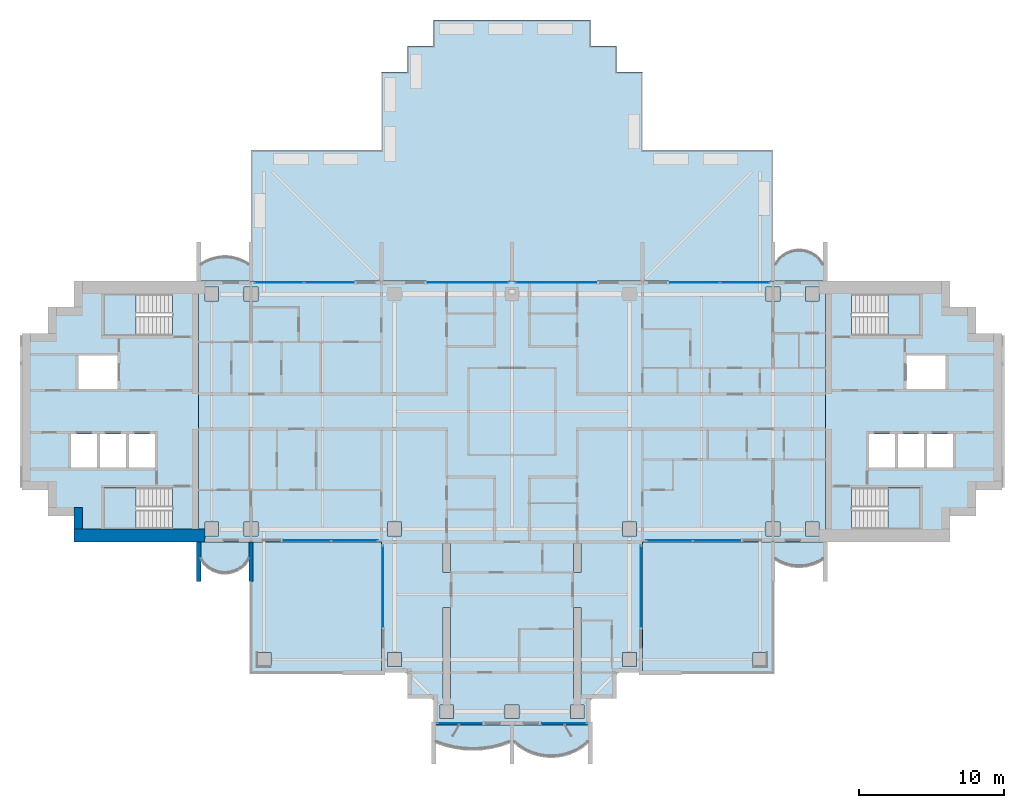
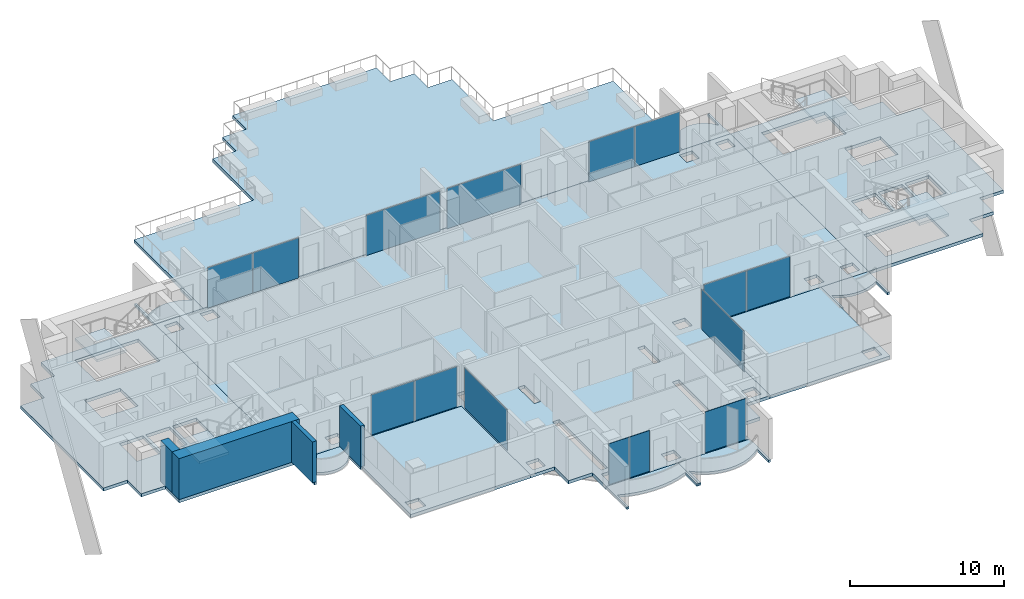
# One storey, part 7 of 18: 16 slabs, 14 plates, 4 walls, 14 elements without a shape of their own.
"""IFC4 building model written with IfcOpenShell, lengths in metres."""

import ifcopenshell
import ifcopenshell.guid

model = None  # the IFC model being written
_history = None  # IfcOwnerHistory: only IFC2X3 demands one
_inside = {}  # id of a spatial element -> (the spatial element, [elements in it])
_under = {}  # id of a project, library or spatial element -> (it, [spatial elements below it])
_declared = {}  # id of a project -> (the project, [libraries it declares])
_typed = {}  # id of a type object -> (the type object, [elements of that type])
_made_of = {}  # id of a material, layer set ... -> (it, [elements and type objects made of it])


def new_model(schema):
    """Start an empty IFC model of exactly this schema.

    Asked for "IFC4X3", IfcOpenShell would pick the latest addendum, in which some entities
    have other attributes; the version numbers below select the first issue.
    IFC2X3 requires an IfcOwnerHistory on every rooted entity: one is made here for all.
    """
    global model, _history
    if schema == "IFC4X3":
        model = ifcopenshell.file(schema_version=(4, 3, 0, 0))
    else:
        model = ifcopenshell.file(schema=schema)
    _inside.clear()
    _under.clear()
    _declared.clear()
    _typed.clear()
    _made_of.clear()
    _history = None
    if model.schema == "IFC2X3":
        org = make("IfcOrganization", Name="unknown")
        user = make(
            "IfcPersonAndOrganization",
            ThePerson=make("IfcPerson", FamilyName="unknown"),
            TheOrganization=org,
        )
        app = make(
            "IfcApplication",
            ApplicationDeveloper=org,
            Version="unknown",
            ApplicationFullName="unknown",
            ApplicationIdentifier="unknown",
        )
        _history = make(
            "IfcOwnerHistory",
            OwningUser=user,
            OwningApplication=app,
            ChangeAction="ADDED",
            CreationDate=0,
        )
    return model


def make(cls, **values):
    """One entity of the class cls with the attributes given. An attribute that is None is left unset."""
    return model.create_entity(
        cls, **{name: value for name, value in values.items() if value is not None}
    )


def rooted(cls, **values):
    """An entity with a GlobalId (a new one), such as an element, a storey or a relation."""
    return make(cls, GlobalId=ifcopenshell.guid.new(), OwnerHistory=_history, **values)


def si_unit(unit_type, name, prefix=None):
    """IfcSIUnit, for example si_unit("LENGTHUNIT", "METRE", prefix="MILLI")."""
    return make("IfcSIUnit", UnitType=unit_type, Prefix=prefix, Name=name)


def assignment(units):
    """IfcUnitAssignment: the units of a project."""
    return None if units is None else make("IfcUnitAssignment", Units=units)


def point(xyz):
    """IfcCartesianPoint."""
    return None if xyz is None else make("IfcCartesianPoint", Coordinates=xyz)


def direction(xyz):
    """IfcDirection."""
    return None if xyz is None else make("IfcDirection", DirectionRatios=xyz)


def frame(location, z_axis=None, x_axis=None):
    """IfcAxis2Placement3D, a coordinate frame: its origin and axes. An axis left out is left unset."""
    return make(
        "IfcAxis2Placement3D",
        Location=point(location),
        Axis=direction(z_axis),
        RefDirection=direction(x_axis),
    )


def frame_2d(location, x_axis=None):
    """IfcAxis2Placement2D, a coordinate frame in the plane: its origin and x axis."""
    return make(
        "IfcAxis2Placement2D", Location=point(location), RefDirection=direction(x_axis)
    )


def origin():
    """The frame at (0, 0, 0) with its axes left unset."""
    return frame((0.0, 0.0, 0.0))


def origin_2d():
    """The frame at (0, 0) in the plane with its x axis left unset."""
    return frame_2d((0.0, 0.0))


def place(relative_to, where):
    """IfcLocalPlacement: puts the frame where relative to a parent placement (None: the world)."""
    return make(
        "IfcLocalPlacement", PlacementRelTo=relative_to, RelativePlacement=where
    )


def context(
    kind, dimensions, precision=None, world=None, true_north=None, identifier=None
):
    """IfcGeometricRepresentationContext, for example the 3D "Model" context."""
    return make(
        "IfcGeometricRepresentationContext",
        ContextIdentifier=identifier,
        ContextType=kind,
        CoordinateSpaceDimension=dimensions,
        Precision=precision,
        WorldCoordinateSystem=world,
        TrueNorth=true_north,
    )


def subcontext(parent, identifier, kind, view, scale=None):
    """IfcGeometricRepresentationSubContext, for example "Body" below "Model"."""
    return make(
        "IfcGeometricRepresentationSubContext",
        ContextIdentifier=identifier,
        ContextType=kind,
        ParentContext=parent,
        TargetScale=scale,
        TargetView=view,
    )


def project(units=None, contexts=None):
    """IfcProject with its units and contexts."""
    return rooted(
        "IfcProject",
        Name="project",
        RepresentationContexts=contexts,
        UnitsInContext=assignment(units),
    )


def spatial(cls, under=None, at=None, **own):
    """A site, building, storey or space (cls), placed at a placement, below another one or the project."""
    s = rooted(cls, ObjectPlacement=at, **own)
    if under is not None:
        _under.setdefault(under.id(), (under, []))[1].append(s)
    return s


def polyline(points):
    """IfcPolyline through the points."""
    return make("IfcPolyline", Points=[point(p) for p in points])


def profile(cls, at=None, kind="AREA", **sizes):
    """A parametric profile (cls). Its sizes go by their IFC names, for example OverallWidth=200.0."""
    return make(cls, ProfileType=kind, Position=at, **sizes)


def rectangle(**sizes):
    """IfcRectangleProfileDef."""
    return profile("IfcRectangleProfileDef", **sizes)


def outline(outer, holes=None, kind="AREA"):
    """IfcArbitraryClosedProfileDef: a profile drawn as a closed curve; with holes, ...WithVoids."""
    if holes is None:
        return make("IfcArbitraryClosedProfileDef", ProfileType=kind, OuterCurve=outer)
    return make(
        "IfcArbitraryProfileDefWithVoids",
        ProfileType=kind,
        OuterCurve=outer,
        InnerCurves=holes,
    )


def extrude(swept, where, along, depth):
    """IfcExtrudedAreaSolid: the profile swept, set in the frame where, extruded along a direction by depth."""
    return make(
        "IfcExtrudedAreaSolid",
        SweptArea=swept,
        Position=where,
        ExtrudedDirection=direction(along),
        Depth=depth,
    )


def shape(context_of_items, identifier, shape_type, items):
    """IfcShapeRepresentation: the items that make up one representation, for example the "Body"."""
    return make(
        "IfcShapeRepresentation",
        ContextOfItems=context_of_items,
        RepresentationIdentifier=identifier,
        RepresentationType=shape_type,
        Items=items,
    )


def material(Name=None, Category=None):
    """IfcMaterial."""
    return make("IfcMaterial", Name=Name, Category=Category)


def layer(
    of_material, thickness, ventilated=None, Name=None, Category=None, Priority=None
):
    """IfcMaterialLayer: one layer of a wall or slab, of a material (None: an air gap)."""
    return make(
        "IfcMaterialLayer",
        Material=of_material,
        LayerThickness=thickness,
        IsVentilated=ventilated,
        Name=Name,
        Category=Category,
        Priority=Priority,
    )


def layer_set(layers, Name=None):
    """IfcMaterialLayerSet."""
    return make("IfcMaterialLayerSet", MaterialLayers=layers, LayerSetName=Name)


def made_of(thing, what):
    """Note that an element or type object is made of a material, layer set ...; save() writes the relation."""
    if what is not None:
        _made_of.setdefault(what.id(), (what, []))[1].append(thing)
    return thing


def type_object(cls, material=None, **own):
    """A type object (cls), such as IfcWallType, which elements share."""
    return made_of(rooted(cls, **own), material)


def element(
    cls,
    number,
    at=None,
    inside=None,
    cuts=None,
    type_object=None,
    material=None,
    context=None,
    identifier="Body",
    shape_type=None,
    held_by="IfcProductDefinitionShape",
    body=None,
    shapes=None,
    **own,
):
    """One element of the class cls, such as IfcWall. Its Tag is "e" and its number.

    at: its placement. inside: the storey or other place that contains it. cuts: it is an
    opening in that element (IfcRelVoidsElement). A single representation is given by context,
    identifier, shape_type and body (its items); several are given by shapes. held_by: the class
    of the entity that holds the representations. save() writes the other relations.
    """
    e = rooted(cls, Tag="e%d" % number, ObjectPlacement=at, **own)
    if body is not None:
        shapes = [shape(context, identifier, shape_type, body)]
    if shapes is not None:
        e.Representation = make(held_by, Representations=shapes)
    if inside is not None:
        _inside.setdefault(inside.id(), (inside, []))[1].append(e)
    if cuts is not None:
        rooted(
            "IfcRelVoidsElement", RelatingBuildingElement=cuts, RelatedOpeningElement=e
        )
    if type_object is not None:
        _typed.setdefault(type_object.id(), (type_object, []))[1].append(e)
    return made_of(e, material)


def aggregate(whole, parts):
    """IfcRelAggregates: a whole, such as a stair, and the parts it consists of."""
    return rooted("IfcRelAggregates", RelatingObject=whole, RelatedObjects=parts)


def save(model, path):
    """Write the relations noted so far, then the file.

    IfcRelAggregates (storeys below a building ...), IfcRelContainedInSpatialStructure (elements
    in a storey), IfcRelDefinesByType, IfcRelAssociatesMaterial and IfcRelDeclares: one each for
    every whole, place, type object, material and project.
    """
    for whole, parts in _under.values():
        aggregate(whole, parts)
    for where, things in _inside.values():
        rooted(
            "IfcRelContainedInSpatialStructure",
            RelatedElements=things,
            RelatingStructure=where,
        )
    for kind, things in _typed.values():
        rooted("IfcRelDefinesByType", RelatedObjects=things, RelatingType=kind)
    for what, things in _made_of.values():
        rooted("IfcRelAssociatesMaterial", RelatedObjects=things, RelatingMaterial=what)
    for by, libraries in _declared.values():
        rooted("IfcRelDeclares", RelatingContext=by, RelatedDefinitions=libraries)
    model.write(path)


model = new_model("IFC4")

# Units and contexts
model_context = context("Model", 3, precision=1e-05, world=origin(), true_north=direction((0.0, 1.0)))
body_context = subcontext(model_context, "Body", "Model", "MODEL_VIEW")
ifc_project = project(units=[si_unit("LENGTHUNIT", "METRE"), si_unit("AREAUNIT", "SQUARE_METRE"), si_unit("VOLUMEUNIT", "CUBIC_METRE"), si_unit("PLANEANGLEUNIT", "RADIAN"), si_unit("MASSUNIT", "GRAM", prefix="KILO")], contexts=[model_context])

# Site, building, storey
site_placement = place(None, origin())
site = spatial("IfcSite", under=ifc_project, at=site_placement, CompositionType="ELEMENT")
building_placement = place(site_placement, origin())
building = spatial("IfcBuilding", under=site, at=building_placement, Name="Perihelion Cross Residences", CompositionType="ELEMENT")
storey_placement = place(building_placement, frame((0.0, 0.0, 166.60009765625)))
storey = spatial("IfcBuildingStorey", under=building, at=storey_placement, Name="L40", CompositionType="ELEMENT", Elevation=166.60009765625)

# Slabs
ifc_material_1 = material(Name="Concrete C40/50", Category="concrete")
ifc_layer_1 = layer(ifc_material_1, 0.199951171875)
ifc_layer_set_1 = layer_set([ifc_layer_1], Name="Balcony slab 200")
slab_type_1 = type_object("IfcSlabType", Name="Balcony slab 200", PredefinedType="FLOOR", material=ifc_layer_set_1)
slab_1_placement = place(storey_placement, frame((0.0, 0.0, -0.2001953125)))
element("IfcSlab", 1, at=slab_1_placement, inside=storey, type_object=slab_type_1, Name="Slab BK1 L40 east side north bay 1 balcony", PredefinedType="FLOOR", context=body_context, shape_type="SweptSolid", body=[
    extrude(outline(polyline([(21.60009765625, 9.0), (18.0, 9.0), (18.0, 11.699951171875), (18.14990234375, 11.699951171875), (18.14990234375, 10.199951171875), (18.425048828125, 10.568603515625), (18.699951171875, 10.806396484375), (18.97509765625, 10.96875), (19.25, 11.07568359375), (19.52490234375, 11.136962890625), (19.800048828125, 11.156982421875), (20.074951171875, 11.136962890625), (20.35009765625, 11.07568359375), (20.625, 10.96875), (20.89990234375, 10.806396484375), (21.175048828125, 10.568603515625), (21.449951171875, 10.199951171875), (21.449951171875, 11.699951171875), (21.60009765625, 11.699951171875), (21.60009765625, 9.0)])), origin(), (0.0, 0.0, 1.0), 0.2001953125),
])
slab_2_placement = place(storey_placement, frame((0.0, 0.0, -0.2001953125)))
element("IfcSlab", 2, at=slab_2_placement, inside=storey, type_object=slab_type_1, Name="Slab BK1 L40 west side north bay 2 balcony", PredefinedType="FLOOR", context=body_context, shape_type="SweptSolid", body=[
    extrude(outline(polyline([(-18.0, 9.0), (-21.60009765625, 9.0), (-21.60009765625, 11.699951171875), (-21.449951171875, 11.699951171875), (-21.449951171875, 10.199951171875), (-21.083251953125, 10.40869140625), (-20.716552734375, 10.55517578125), (-20.35009765625, 10.648681640625), (-19.9833984375, 10.6943359375), (-19.61669921875, 10.6943359375), (-19.25, 10.648681640625), (-18.88330078125, 10.55517578125), (-18.5166015625, 10.40869140625), (-18.14990234375, 10.199951171875), (-18.14990234375, 11.699951171875), (-18.0, 11.699951171875), (-18.0, 9.0)])), origin(), (0.0, 0.0, 1.0), 0.2001953125),
])
slab_3_placement = place(storey_placement, frame((0.0, 0.0, -0.2001953125)))
element("IfcSlab", 3, at=slab_3_placement, inside=storey, type_object=slab_type_1, Name="Slab BK1 L40 west side south bay 1 balcony", PredefinedType="FLOOR", context=body_context, shape_type="SweptSolid", body=[
    extrude(outline(polyline([(-21.60009765625, -9.0), (-18.0, -9.0), (-18.0, -11.699951171875), (-18.14990234375, -11.699951171875), (-18.14990234375, -10.199951171875), (-18.425048828125, -10.568603515625), (-18.699951171875, -10.806396484375), (-18.97509765625, -10.96875), (-19.25, -11.07568359375), (-19.52490234375, -11.136962890625), (-19.800048828125, -11.156982421875), (-20.074951171875, -11.136962890625), (-20.35009765625, -11.07568359375), (-20.625, -10.96875), (-20.89990234375, -10.806396484375), (-21.175048828125, -10.568603515625), (-21.449951171875, -10.199951171875), (-21.449951171875, -11.699951171875), (-21.60009765625, -11.699951171875), (-21.60009765625, -9.0)])), origin(), (0.0, 0.0, 1.0), 0.2001953125),
])
slab_4_placement = place(storey_placement, frame((0.0, 0.0, -0.2001953125)))
element("IfcSlab", 4, at=slab_4_placement, inside=storey, type_object=slab_type_1, Name="Slab BK1 L40 south tip south bay 1 balcony", PredefinedType="FLOOR", context=body_context, shape_type="SweptSolid", body=[
    extrude(outline(polyline([(-5.39990234375, -21.60009765625), (0.0, -21.60009765625), (0.0, -24.300048828125), (-0.14990234375, -24.300048828125), (-0.14990234375, -22.800048828125), (-0.78759765625, -23.0234375), (-1.425048828125, -23.178466796875), (-2.0625, -23.269775390625), (-2.699951171875, -23.300048828125), (-3.33740234375, -23.269775390625), (-3.97509765625, -23.178466796875), (-4.612548828125, -23.0234375), (-5.25, -22.800048828125), (-5.25, -24.300048828125), (-5.39990234375, -24.300048828125), (-5.39990234375, -21.60009765625)])), origin(), (0.0, 0.0, 1.0), 0.2001953125),
])
slab_5_placement = place(storey_placement, frame((0.0, 0.0, -0.2001953125)))
element("IfcSlab", 5, at=slab_5_placement, inside=storey, type_object=slab_type_1, Name="Slab BK1 L40 south tip south bay 2 balcony", PredefinedType="FLOOR", context=body_context, shape_type="SweptSolid", body=[
    extrude(outline(polyline([(0.0, -21.60009765625), (5.39990234375, -21.60009765625), (5.39990234375, -24.300048828125), (5.25, -24.300048828125), (5.25, -22.800048828125), (4.824951171875, -23.14013671875), (4.39990234375, -23.392578125), (3.97509765625, -23.57666015625), (3.550048828125, -23.702392578125), (3.125, -23.77587890625), (2.699951171875, -23.800048828125), (2.27490234375, -23.77587890625), (1.85009765625, -23.702392578125), (1.425048828125, -23.57666015625), (1.0, -23.392578125), (0.574951171875, -23.14013671875), (0.14990234375, -22.800048828125), (0.14990234375, -24.300048828125), (0.0, -24.300048828125), (0.0, -21.60009765625)])), origin(), (0.0, 0.0, 1.0), 0.2001953125),
])
slab_6_placement = place(storey_placement, frame((0.0, 0.0, -0.2001953125)))
element("IfcSlab", 6, at=slab_6_placement, inside=storey, type_object=slab_type_1, Name="Slab BK1 L40 east side south bay 2 balcony", PredefinedType="FLOOR", context=body_context, shape_type="SweptSolid", body=[
    extrude(outline(polyline([(18.0, -9.0), (21.60009765625, -9.0), (21.60009765625, -11.699951171875), (21.449951171875, -11.699951171875), (21.449951171875, -10.199951171875), (21.083251953125, -10.40869140625), (20.716552734375, -10.55517578125), (20.35009765625, -10.648681640625), (19.9833984375, -10.6943359375), (19.61669921875, -10.6943359375), (19.25, -10.648681640625), (18.88330078125, -10.55517578125), (18.5166015625, -10.40869140625), (18.14990234375, -10.199951171875), (18.14990234375, -11.699951171875), (18.0, -11.699951171875), (18.0, -9.0)])), origin(), (0.0, 0.0, 1.0), 0.2001953125),
])

# Curtain wall, plates
ifc_material_2 = material(Name="Bronze anodised aluminium, tinted glazing", Category="aluminium")
curtain_wall_type = type_object("IfcCurtainWallType", Name="CW1", PredefinedType="NOTDEFINED", material=ifc_material_2)
curtain_wall_1_placement = place(storey_placement, origin())
curtain_wall_1 = element("IfcCurtainWall", 7, at=curtain_wall_1_placement, inside=storey, type_object=curtain_wall_type, Name="Curtain wall CW1 L40 east side north bay 2", PredefinedType="NOTDEFINED")
ifc_material_3 = material(Name="Tinted laminated glass", Category="glass")
ifc_layer_2 = layer(ifc_material_3, 0.028076171875)
ifc_layer_set_2 = layer_set([ifc_layer_2], Name="CW1 panel")
plate_type = type_object("IfcPlateType", Name="CW1 panel", PredefinedType="CURTAIN_PANEL", material=ifc_layer_set_2)
plate_1_placement = place(storey_placement, frame((16.06005859375, 8.89990234375, 0.0), z_axis=(0.0, 0.0, 1.0), x_axis=(-1.0, 0.0, 0.0)))
plate_1 = element("IfcPlate", 8, at=plate_1_placement, type_object=plate_type, Name="CW1 panel 1", PredefinedType="CURTAIN_PANEL", context=body_context, shape_type="SweptSolid", body=[
    extrude(rectangle(XDim=3.360107421875, YDim=0.028076171875, at=origin_2d()), origin(), (0.0, 0.0, 1.0), 3.18994140625),
])
plate_2_placement = place(storey_placement, frame((12.610107421875, 8.89990234375, 0.0), z_axis=(0.0, 0.0, 1.0), x_axis=(-1.0, 0.0, 0.0)))
plate_2 = element("IfcPlate", 9, at=plate_2_placement, type_object=plate_type, Name="CW1 panel 2", PredefinedType="CURTAIN_PANEL", context=body_context, shape_type="SweptSolid", body=[
    extrude(rectangle(XDim=3.419921875, YDim=0.028076171875, at=origin_2d()), origin(), (0.0, 0.0, 1.0), 3.18994140625),
])
aggregate(curtain_wall_1, [plate_1, plate_2])

# Curtain wall, plate
curtain_wall_2_placement = place(storey_placement, origin())
curtain_wall_2 = element("IfcCurtainWall", 10, at=curtain_wall_2_placement, inside=storey, type_object=curtain_wall_type, Name="Curtain wall CW1 L40 north side east bay 1", PredefinedType="NOTDEFINED")
plate_3_placement = place(storey_placement, frame((3.04248046875, 8.89990234375, 0.0), z_axis=(0.0, 0.0, 1.0), x_axis=(-1.0, 0.0, 0.0)))
plate_3 = element("IfcPlate", 11, at=plate_3_placement, type_object=plate_type, Name="CW1 panel 1", PredefinedType="CURTAIN_PANEL", context=body_context, shape_type="SweptSolid", body=[
    extrude(rectangle(XDim=5.56494140625, YDim=0.028076171875, at=origin_2d()), origin(), (0.0, 0.0, 1.0), 3.18994140625),
])
aggregate(curtain_wall_2, [plate_3])

curtain_wall_3_placement = place(storey_placement, origin())
curtain_wall_3 = element("IfcCurtainWall", 12, at=curtain_wall_3_placement, inside=storey, type_object=curtain_wall_type, Name="Curtain wall CW1 L40 north side east bay 2", PredefinedType="NOTDEFINED")
plate_4_placement = place(storey_placement, frame((-3.04248046875, 8.89990234375, 0.0), z_axis=(0.0, 0.0, 1.0), x_axis=(-1.0, 0.0, 0.0)))
plate_4 = element("IfcPlate", 13, at=plate_4_placement, type_object=plate_type, Name="CW1 panel 1", PredefinedType="CURTAIN_PANEL", context=body_context, shape_type="SweptSolid", body=[
    extrude(rectangle(XDim=5.56494140625, YDim=0.028076171875, at=origin_2d()), origin(), (0.0, 0.0, 1.0), 3.18994140625),
])
aggregate(curtain_wall_3, [plate_4])

# Curtain wall, plates
curtain_wall_4_placement = place(storey_placement, origin())
curtain_wall_4 = element("IfcCurtainWall", 14, at=curtain_wall_4_placement, inside=storey, type_object=curtain_wall_type, Name="Curtain wall CW1 L40 west side north bay 1", PredefinedType="NOTDEFINED")
plate_5_placement = place(storey_placement, frame((-12.610107421875, 8.89990234375, 0.0), z_axis=(0.0, 0.0, 1.0), x_axis=(-1.0, 0.0, 0.0)))
plate_5 = element("IfcPlate", 15, at=plate_5_placement, type_object=plate_type, Name="CW1 panel 1", PredefinedType="CURTAIN_PANEL", context=body_context, shape_type="SweptSolid", body=[
    extrude(rectangle(XDim=3.419921875, YDim=0.028076171875, at=origin_2d()), origin(), (0.0, 0.0, 1.0), 3.18994140625),
])
plate_6_placement = place(storey_placement, frame((-16.06005859375, 8.89990234375, 0.0), z_axis=(0.0, 0.0, 1.0), x_axis=(-1.0, 0.0, 0.0)))
plate_6 = element("IfcPlate", 16, at=plate_6_placement, type_object=plate_type, Name="CW1 panel 2", PredefinedType="CURTAIN_PANEL", context=body_context, shape_type="SweptSolid", body=[
    extrude(rectangle(XDim=3.360107421875, YDim=0.028076171875, at=origin_2d()), origin(), (0.0, 0.0, 1.0), 3.18994140625),
])
aggregate(curtain_wall_4, [plate_5, plate_6])

curtain_wall_5_placement = place(storey_placement, origin())
curtain_wall_5 = element("IfcCurtainWall", 17, at=curtain_wall_5_placement, inside=storey, type_object=curtain_wall_type, Name="Curtain wall CW1 L40 west side south bay 2", PredefinedType="NOTDEFINED")
plate_7_placement = place(storey_placement, frame((-14.108642578125, -8.89990234375, 0.0), z_axis=(0.0, 0.0, 1.0), x_axis=(1.0, 0.0, 0.0)))
plate_7 = element("IfcPlate", 18, at=plate_7_placement, type_object=plate_type, Name="CW1 panel 1", PredefinedType="CURTAIN_PANEL", context=body_context, shape_type="SweptSolid", body=[
    extrude(rectangle(XDim=3.232421875, YDim=0.028076171875, at=origin_2d()), origin(), (0.0, 0.0, 1.0), 3.18994140625),
])
plate_8_placement = place(storey_placement, frame((-10.84619140625, -8.89990234375, 0.0), z_axis=(0.0, 0.0, 1.0), x_axis=(1.0, 0.0, 0.0)))
plate_8 = element("IfcPlate", 19, at=plate_8_placement, type_object=plate_type, Name="CW1 panel 2", PredefinedType="CURTAIN_PANEL", context=body_context, shape_type="SweptSolid", body=[
    extrude(rectangle(XDim=3.172607421875, YDim=0.028076171875, at=origin_2d()), origin(), (0.0, 0.0, 1.0), 3.18994140625),
])
aggregate(curtain_wall_5, [plate_7, plate_8])

# Curtain wall, plate
curtain_wall_6_placement = place(storey_placement, origin())
curtain_wall_6 = element("IfcCurtainWall", 20, at=curtain_wall_6_placement, inside=storey, type_object=curtain_wall_type, Name="Curtain wall CW1 L40 south side west bay 1", PredefinedType="NOTDEFINED")
plate_9_placement = place(storey_placement, frame((-8.89990234375, -12.04248046875, 0.0), z_axis=(0.0, 0.0, 1.0), x_axis=(0.0, -1.0, 0.0)))
plate_9 = element("IfcPlate", 21, at=plate_9_placement, type_object=plate_type, Name="CW1 panel 1", PredefinedType="CURTAIN_PANEL", context=body_context, shape_type="SweptSolid", body=[
    extrude(rectangle(XDim=5.56494140625, YDim=0.028076171875, at=origin_2d()), origin(), (0.0, 0.0, 1.0), 3.18994140625),
])
aggregate(curtain_wall_6, [plate_9])

curtain_wall_7_placement = place(storey_placement, origin())
curtain_wall_7 = element("IfcCurtainWall", 22, at=curtain_wall_7_placement, inside=storey, type_object=curtain_wall_type, Name="Curtain wall CW1 L40 south tip south bay 1", PredefinedType="NOTDEFINED")
plate_10_placement = place(storey_placement, frame((-3.607421875, -21.5, 0.0), z_axis=(0.0, 0.0, 1.0), x_axis=(1.0, 0.0, 0.0)))
plate_10 = element("IfcPlate", 23, at=plate_10_placement, type_object=plate_type, Name="CW1 panel 1", PredefinedType="CURTAIN_PANEL", context=body_context, shape_type="SweptSolid", body=[
    extrude(rectangle(XDim=3.06494140625, YDim=0.028076171875, at=origin_2d()), origin(), (0.0, 0.0, 1.0), 3.25),
])
aggregate(curtain_wall_7, [plate_10])

curtain_wall_8_placement = place(storey_placement, origin())
curtain_wall_8 = element("IfcCurtainWall", 24, at=curtain_wall_8_placement, inside=storey, type_object=curtain_wall_type, Name="Curtain wall CW1 L40 south tip south bay 2", PredefinedType="NOTDEFINED")
plate_11_placement = place(storey_placement, frame((3.607421875, -21.5, 0.0), z_axis=(0.0, 0.0, 1.0), x_axis=(1.0, 0.0, 0.0)))
plate_11 = element("IfcPlate", 25, at=plate_11_placement, type_object=plate_type, Name="CW1 panel 1", PredefinedType="CURTAIN_PANEL", context=body_context, shape_type="SweptSolid", body=[
    extrude(rectangle(XDim=3.06494140625, YDim=0.028076171875, at=origin_2d()), origin(), (0.0, 0.0, 1.0), 3.25),
])
aggregate(curtain_wall_8, [plate_11])

curtain_wall_9_placement = place(storey_placement, origin())
curtain_wall_9 = element("IfcCurtainWall", 26, at=curtain_wall_9_placement, inside=storey, type_object=curtain_wall_type, Name="Curtain wall CW1 L40 south side east bay 1", PredefinedType="NOTDEFINED")
plate_12_placement = place(storey_placement, frame((8.89990234375, -12.04248046875, 0.0), z_axis=(0.0, 0.0, 1.0), x_axis=(0.0, 1.0, 0.0)))
plate_12 = element("IfcPlate", 27, at=plate_12_placement, type_object=plate_type, Name="CW1 panel 1", PredefinedType="CURTAIN_PANEL", context=body_context, shape_type="SweptSolid", body=[
    extrude(rectangle(XDim=5.56494140625, YDim=0.028076171875, at=origin_2d()), origin(), (0.0, 0.0, 1.0), 3.18994140625),
])
aggregate(curtain_wall_9, [plate_12])

# Curtain wall, plates
curtain_wall_10_placement = place(storey_placement, origin())
curtain_wall_10 = element("IfcCurtainWall", 28, at=curtain_wall_10_placement, inside=storey, type_object=curtain_wall_type, Name="Curtain wall CW1 L40 east side south bay 1", PredefinedType="NOTDEFINED")
plate_13_placement = place(storey_placement, frame((10.84619140625, -8.89990234375, 0.0), z_axis=(0.0, 0.0, 1.0), x_axis=(1.0, 0.0, 0.0)))
plate_13 = element("IfcPlate", 29, at=plate_13_placement, type_object=plate_type, Name="CW1 panel 1", PredefinedType="CURTAIN_PANEL", context=body_context, shape_type="SweptSolid", body=[
    extrude(rectangle(XDim=3.172607421875, YDim=0.028076171875, at=origin_2d()), origin(), (0.0, 0.0, 1.0), 3.18994140625),
])
plate_14_placement = place(storey_placement, frame((14.108642578125, -8.89990234375, 0.0), z_axis=(0.0, 0.0, 1.0), x_axis=(1.0, 0.0, 0.0)))
plate_14 = element("IfcPlate", 30, at=plate_14_placement, type_object=plate_type, Name="CW1 panel 2", PredefinedType="CURTAIN_PANEL", context=body_context, shape_type="SweptSolid", body=[
    extrude(rectangle(XDim=3.232421875, YDim=0.028076171875, at=origin_2d()), origin(), (0.0, 0.0, 1.0), 3.18994140625),
])
aggregate(curtain_wall_10, [plate_13, plate_14])

# Slabs
ifc_material_4 = material(Name="Concrete C40/50", Category="concrete")
ifc_layer_3 = layer(ifc_material_4, 0.25)
ifc_layer_set_3 = layer_set([ifc_layer_3], Name="Core floor slab 250")
slab_type_2 = type_object("IfcSlabType", Name="Core floor slab 250", PredefinedType="FLOOR", material=ifc_layer_set_3)
slab_7_placement = place(storey_placement, frame((0.0, 0.0, -0.25)))
element("IfcSlab", 31, at=slab_7_placement, inside=storey, type_object=slab_type_2, Name="East core floor slab", PredefinedType="FLOOR", context=body_context, shape_type="SweptSolid", body=[
    extrude(outline(polyline([(30.199951171875, 7.199951171875), (32.0, 7.199951171875), (32.0, 5.39990234375), (33.800048828125, 5.39990234375), (33.800048828125, -5.39990234375), (32.0, -5.39990234375), (32.0, -7.199951171875), (30.199951171875, -7.199951171875), (30.199951171875, -9.0), (21.60009765625, -9.0), (21.60009765625, 9.0), (30.199951171875, 9.0), (30.199951171875, 7.199951171875)]), holes=[polyline([(28.14990234375, -8.10009765625), (28.14990234375, -5.25), (23.405029296875, -5.25), (23.405029296875, -8.10009765625), (28.14990234375, -8.10009765625)]), polyline([(24.60009765625, -1.550048828125), (24.60009765625, -3.85009765625), (26.39990234375, -3.85009765625), (26.39990234375, -1.550048828125), (24.60009765625, -1.550048828125)]), polyline([(26.60009765625, -1.550048828125), (26.60009765625, -3.85009765625), (28.39990234375, -3.85009765625), (28.39990234375, -1.550048828125), (26.60009765625, -1.550048828125)]), polyline([(28.60009765625, -3.85009765625), (30.39990234375, -3.85009765625), (30.39990234375, -1.550048828125), (28.60009765625, -1.550048828125), (28.60009765625, -3.85009765625)]), polyline([(27.199951171875, 3.85009765625), (27.199951171875, 1.550048828125), (29.89990234375, 1.550048828125), (29.89990234375, 3.85009765625), (27.199951171875, 3.85009765625)]), polyline([(23.405029296875, 5.25), (28.14990234375, 5.25), (28.14990234375, 8.10009765625), (23.405029296875, 8.10009765625), (23.405029296875, 5.25)])]), origin(), (0.0, 0.0, 1.0), 0.25),
])
slab_8_placement = place(storey_placement, frame((0.0, 0.0, -0.25)))
element("IfcSlab", 32, at=slab_8_placement, inside=storey, type_object=slab_type_2, Name="West core floor slab", PredefinedType="FLOOR", context=body_context, shape_type="SweptSolid", body=[
    extrude(outline(polyline([(-30.199951171875, 7.199951171875), (-32.0, 7.199951171875), (-32.0, 5.39990234375), (-33.800048828125, 5.39990234375), (-33.800048828125, -5.39990234375), (-32.0, -5.39990234375), (-32.0, -7.199951171875), (-30.199951171875, -7.199951171875), (-30.199951171875, -9.0), (-21.60009765625, -9.0), (-21.60009765625, 9.0), (-30.199951171875, 9.0), (-30.199951171875, 7.199951171875)]), holes=[polyline([(-28.14990234375, -8.10009765625), (-28.14990234375, -5.25), (-23.405029296875, -5.25), (-23.405029296875, -8.10009765625), (-28.14990234375, -8.10009765625)]), polyline([(-24.60009765625, -1.550048828125), (-24.60009765625, -3.85009765625), (-26.39990234375, -3.85009765625), (-26.39990234375, -1.550048828125), (-24.60009765625, -1.550048828125)]), polyline([(-26.60009765625, -1.550048828125), (-26.60009765625, -3.85009765625), (-28.39990234375, -3.85009765625), (-28.39990234375, -1.550048828125), (-26.60009765625, -1.550048828125)]), polyline([(-28.60009765625, -3.85009765625), (-30.39990234375, -3.85009765625), (-30.39990234375, -1.550048828125), (-28.60009765625, -1.550048828125), (-28.60009765625, -3.85009765625)]), polyline([(-27.199951171875, 3.85009765625), (-27.199951171875, 1.550048828125), (-29.89990234375, 1.550048828125), (-29.89990234375, 3.85009765625), (-27.199951171875, 3.85009765625)]), polyline([(-23.405029296875, 5.25), (-28.14990234375, 5.25), (-28.14990234375, 8.10009765625), (-23.405029296875, 8.10009765625), (-23.405029296875, 5.25)])]), origin(), (0.0, 0.0, 1.0), 0.25),
])
ifc_material_5 = material(Name="Concrete C40/50", Category="concrete")
ifc_layer_4 = layer(ifc_material_5, 0.25)
ifc_layer_set_4 = layer_set([ifc_layer_4], Name="Corner terrace slab")
slab_type_3 = type_object("IfcSlabType", Name="Corner terrace slab", PredefinedType="FLOOR", material=ifc_layer_set_4)
slab_9_placement = place(storey_placement, frame((0.0, 0.0, -0.25)))
element("IfcSlab", 33, at=slab_9_placement, inside=storey, type_object=slab_type_3, Name="Slab BK2 L40 pocket south-west", PredefinedType="FLOOR", context=body_context, shape_type="SweptSolid", body=[
    extrude(outline(polyline([(-9.0, -18.0), (-9.0, -9.0), (-18.0, -9.0), (-18.0, -18.0), (-9.0, -18.0)]), holes=[polyline([(-16.625, -17.614990234375), (-17.614990234375, -17.614990234375), (-17.614990234375, -16.5849609375), (-17.574951171875, -16.5849609375), (-17.574951171875, -16.625), (-16.625, -16.625), (-16.625, -17.614990234375)])]), origin(), (0.0, 0.0, 1.0), 0.25),
])
slab_10_placement = place(storey_placement, frame((0.0, 0.0, -0.25)))
element("IfcSlab", 34, at=slab_10_placement, inside=storey, type_object=slab_type_3, Name="Slab BK2 L40 pocket south-east", PredefinedType="FLOOR", context=body_context, shape_type="SweptSolid", body=[
    extrude(outline(polyline([(18.0, -18.0), (18.0, -9.0), (9.0, -9.0), (9.0, -18.0), (18.0, -18.0)]), holes=[polyline([(16.625, -17.614990234375), (16.625, -16.625), (17.574951171875, -16.625), (17.574951171875, -16.5849609375), (17.614990234375, -16.5849609375), (17.614990234375, -17.614990234375), (16.625, -17.614990234375)])]), origin(), (0.0, 0.0, 1.0), 0.25),
])

# Stair, slab
ifc_material_6 = material(Name="Concrete C40/50", Category="concrete")
stair_type = type_object("IfcStairType", Name="Exit stair, half-turn", PredefinedType="HALF_TURN_STAIR", material=ifc_material_6)
stair_1_placement = place(storey_placement, origin())
stair_1 = element("IfcStair", 35, at=stair_1_placement, inside=storey, type_object=stair_type, Name="L40 East core exit stair 1", PredefinedType="HALF_TURN_STAIR")
ifc_material_7 = material(Name="Concrete C40/50", Category="concrete")
ifc_layer_5 = layer(ifc_material_7, 0.199951171875)
ifc_layer_set_5 = layer_set([ifc_layer_5], Name="Exit stair landing 200")
slab_type_4 = type_object("IfcSlabType", Name="Exit stair landing 200", PredefinedType="LANDING", material=ifc_layer_set_5)
slab_11_placement = place(storey_placement, frame((0.0, 0.0, 1.5498046875)))
slab_11 = element("IfcSlab", 36, at=slab_11_placement, type_object=slab_type_4, Name="ST-E1 landing 1", PredefinedType="LANDING", context=body_context, shape_type="SweptSolid", body=[
    extrude(outline(polyline([(25.919921875, 5.25), (28.14990234375, 5.25), (28.14990234375, 8.10009765625), (25.919921875, 8.10009765625), (25.919921875, 5.25)])), origin(), (0.0, 0.0, 1.0), 0.2001953125),
])
aggregate(stair_1, [slab_11])

stair_2_placement = place(storey_placement, origin())
stair_2 = element("IfcStair", 37, at=stair_2_placement, inside=storey, type_object=stair_type, Name="L40 East core exit stair 2", PredefinedType="HALF_TURN_STAIR")
slab_12_placement = place(storey_placement, frame((0.0, 0.0, 1.5498046875)))
slab_12 = element("IfcSlab", 38, at=slab_12_placement, type_object=slab_type_4, Name="ST-E2 landing 1", PredefinedType="LANDING", context=body_context, shape_type="SweptSolid", body=[
    extrude(outline(polyline([(25.919921875, -8.10009765625), (28.14990234375, -8.10009765625), (28.14990234375, -5.25), (25.919921875, -5.25), (25.919921875, -8.10009765625)])), origin(), (0.0, 0.0, 1.0), 0.2001953125),
])
aggregate(stair_2, [slab_12])

stair_3_placement = place(storey_placement, origin())
stair_3 = element("IfcStair", 39, at=stair_3_placement, inside=storey, type_object=stair_type, Name="L40 West core exit stair 1", PredefinedType="HALF_TURN_STAIR")
slab_13_placement = place(storey_placement, frame((0.0, 0.0, 1.5498046875)))
slab_13 = element("IfcSlab", 40, at=slab_13_placement, type_object=slab_type_4, Name="ST-W1 landing 1", PredefinedType="LANDING", context=body_context, shape_type="SweptSolid", body=[
    extrude(outline(polyline([(-25.919921875, 8.10009765625), (-28.14990234375, 8.10009765625), (-28.14990234375, 5.25), (-25.919921875, 5.25), (-25.919921875, 8.10009765625)])), origin(), (0.0, 0.0, 1.0), 0.2001953125),
])
aggregate(stair_3, [slab_13])

stair_4_placement = place(storey_placement, origin())
stair_4 = element("IfcStair", 41, at=stair_4_placement, inside=storey, type_object=stair_type, Name="L40 West core exit stair 2", PredefinedType="HALF_TURN_STAIR")
slab_14_placement = place(storey_placement, frame((0.0, 0.0, 1.5498046875)))
slab_14 = element("IfcSlab", 42, at=slab_14_placement, type_object=slab_type_4, Name="ST-W2 landing 1", PredefinedType="LANDING", context=body_context, shape_type="SweptSolid", body=[
    extrude(outline(polyline([(-25.919921875, -5.25), (-28.14990234375, -5.25), (-28.14990234375, -8.10009765625), (-25.919921875, -8.10009765625), (-25.919921875, -5.25)])), origin(), (0.0, 0.0, 1.0), 0.2001953125),
])
aggregate(stair_4, [slab_14])

# Slabs
ifc_material_8 = material(Name="Concrete C50/60", Category="concrete")
ifc_layer_6 = layer(ifc_material_8, 0.25)
ifc_layer_set_6 = layer_set([ifc_layer_6], Name="Residential floor post-tensioned slab concrete C50/60")
slab_type_5 = type_object("IfcSlabType", Name="Residential floor post-tensioned slab concrete C50/60", PredefinedType="FLOOR", material=ifc_layer_set_6)
slab_15_placement = place(storey_placement, frame((0.0, 0.0, -0.25)))
element("IfcSlab", 43, at=slab_15_placement, inside=storey, type_object=slab_type_5, Name="Slab SL8 L40 1 no. 1", PredefinedType="FLOOR", context=body_context, shape_type="SweptSolid", body=[
    extrude(outline(polyline([(21.60009765625, 9.0), (21.60009765625, -9.0), (9.0, -9.0), (9.0, -18.0), (7.199951171875, -18.0), (7.199951171875, -19.800048828125), (5.39990234375, -19.800048828125), (5.39990234375, -21.60009765625), (-5.39990234375, -21.60009765625), (-5.39990234375, -19.800048828125), (-7.199951171875, -19.800048828125), (-7.199951171875, -18.0), (-9.0, -18.0), (-9.0, -9.0), (-21.60009765625, -9.0), (-21.60009765625, 9.0), (-18.0, 9.0), (-9.0, 9.0), (9.0, 9.0), (18.0, 9.0), (21.60009765625, 9.0)]), holes=[polyline([(-4.02490234375, -20.22509765625), (-4.97509765625, -20.22509765625), (-4.97509765625, -21.175048828125), (-4.02490234375, -21.175048828125), (-4.02490234375, -20.22509765625)]), polyline([(-7.625, -16.625), (-8.574951171875, -16.625), (-8.574951171875, -17.574951171875), (-7.625, -17.574951171875), (-7.625, -16.625)]), polyline([(-4.25, -13.5), (-4.75, -13.5), (-4.75, -19.800048828125), (-4.25, -19.800048828125), (-4.25, -13.5)]), polyline([(-4.25, -11.10009765625), (-4.25, -9.0), (-4.75, -9.0), (-4.75, -11.10009765625), (-4.25, -11.10009765625)]), polyline([(-20.22509765625, -8.574951171875), (-20.22509765625, -7.625), (-21.175048828125, -7.625), (-21.175048828125, -8.574951171875), (-20.22509765625, -8.574951171875)]), polyline([(-17.52490234375, -7.625), (-18.47509765625, -7.625), (-18.47509765625, -8.574951171875), (-17.52490234375, -8.574951171875), (-17.52490234375, -7.625)]), polyline([(-7.625, -8.574951171875), (-7.625, -7.625), (-8.574951171875, -7.625), (-8.574951171875, -8.574951171875), (-7.625, -8.574951171875)]), polyline([(-20.22509765625, 8.574951171875), (-21.175048828125, 8.574951171875), (-21.175048828125, 7.625), (-20.22509765625, 7.625), (-20.22509765625, 8.574951171875)]), polyline([(-17.52490234375, 7.625), (-17.52490234375, 8.574951171875), (-18.47509765625, 8.574951171875), (-18.47509765625, 7.625), (-17.52490234375, 7.625)]), polyline([(0.47509765625, -20.22509765625), (-0.47509765625, -20.22509765625), (-0.47509765625, -21.175048828125), (0.47509765625, -21.175048828125), (0.47509765625, -20.22509765625)]), polyline([(4.97509765625, -20.22509765625), (4.02490234375, -20.22509765625), (4.02490234375, -21.175048828125), (4.97509765625, -21.175048828125), (4.97509765625, -20.22509765625)]), polyline([(8.574951171875, -16.625), (7.625, -16.625), (7.625, -17.574951171875), (8.574951171875, -17.574951171875), (8.574951171875, -16.625)]), polyline([(4.75, -19.800048828125), (4.75, -13.5), (4.25, -13.5), (4.25, -19.800048828125), (4.75, -19.800048828125)]), polyline([(4.75, -11.10009765625), (4.75, -9.0), (4.25, -9.0), (4.25, -11.10009765625), (4.75, -11.10009765625)]), polyline([(8.574951171875, -7.625), (7.625, -7.625), (7.625, -8.574951171875), (8.574951171875, -8.574951171875), (8.574951171875, -7.625)]), polyline([(18.47509765625, -8.574951171875), (18.47509765625, -7.625), (17.52490234375, -7.625), (17.52490234375, -8.574951171875), (18.47509765625, -8.574951171875)]), polyline([(21.175048828125, -8.574951171875), (21.175048828125, -7.625), (20.22509765625, -7.625), (20.22509765625, -8.574951171875), (21.175048828125, -8.574951171875)]), polyline([(18.47509765625, 7.625), (18.47509765625, 8.574951171875), (17.52490234375, 8.574951171875), (17.52490234375, 7.625), (18.47509765625, 7.625)]), polyline([(21.175048828125, 7.625), (21.175048828125, 8.574951171875), (20.22509765625, 8.574951171875), (20.22509765625, 7.625), (21.175048828125, 7.625)])]), origin(), (0.0, 0.0, 1.0), 0.25),
])
ifc_material_9 = material(Name="Concrete C40/50", Category="concrete")
ifc_layer_7 = layer(ifc_material_9, 0.25)
ifc_layer_set_7 = layer_set([ifc_layer_7], Name="Setback terrace slab")
slab_type_6 = type_object("IfcSlabType", Name="Setback terrace slab", PredefinedType="ROOF", material=ifc_layer_set_7)
slab_16_placement = place(storey_placement, frame((0.0, 0.0, -0.25)))
element("IfcSlab", 44, at=slab_16_placement, inside=storey, type_object=slab_type_6, Name="Slab TR1 L40 terrace 1", PredefinedType="ROOF", context=body_context, shape_type="SweptSolid", body=[
    extrude(outline(polyline([(5.39990234375, 27.0), (-5.39990234375, 27.0), (-5.39990234375, 25.199951171875), (-7.199951171875, 25.199951171875), (-7.199951171875, 23.39990234375), (-9.0, 23.39990234375), (-9.0, 18.0), (-18.0, 18.0), (-18.0, 9.010009765625), (18.0, 9.010009765625), (18.0, 18.0), (9.0, 18.0), (9.0, 23.39990234375), (7.199951171875, 23.39990234375), (7.199951171875, 25.199951171875), (5.39990234375, 25.199951171875), (5.39990234375, 27.0)])), origin(), (0.0, 0.0, 1.0), 0.25),
])

# Walls
ifc_material_10 = material(Name="Concrete C60/75", Category="concrete")
ifc_layer_8 = layer(ifc_material_10, 0.60009765625)
ifc_layer_set_8 = layer_set([ifc_layer_8], Name="Core wall, outer 600")
wall_type_1 = type_object("IfcWallType", Name="Core wall, outer 600", PredefinedType="SHEAR", material=ifc_layer_set_8)
wall_1_placement = place(storey_placement, frame((-29.89990234375, -8.10009765625, 0.0), z_axis=(0.0, 0.0, 1.0), x_axis=(0.0, 1.0, 0.0)))
element("IfcWall", 45, at=wall_1_placement, inside=storey, type_object=wall_type_1, Name="West core core wall, outer", PredefinedType="SHEAR", context=body_context, shape_type="SweptSolid", body=[
    extrude(rectangle(XDim=1.5, YDim=0.60009765625, at=frame_2d((0.75, 0.0))), origin(), (0.0, 0.0, 1.0), 3.25),
])
ifc_material_11 = material(Name="Concrete C60/75", Category="concrete")
ifc_layer_9 = layer(ifc_material_11, 0.89990234375)
ifc_layer_set_9 = layer_set([ifc_layer_9], Name="Core wall, outer 900")
wall_type_2 = type_object("IfcWallType", Name="Core wall, outer 900", PredefinedType="SHEAR", material=ifc_layer_set_9)
wall_2_placement = place(storey_placement, frame((-30.199951171875, -8.550048828125, 0.0), z_axis=(0.0, 0.0, 1.0), x_axis=(1.0, 0.0, 0.0)))
element("IfcWall", 46, at=wall_2_placement, inside=storey, type_object=wall_type_2, Name="West core core wall, outer", PredefinedType="SHEAR", context=body_context, shape_type="SweptSolid", body=[
    extrude(rectangle(XDim=9.02490234375, YDim=0.89990234375, at=frame_2d((4.512451171875, 0.0))), origin(), (0.0, 0.0, 1.0), 3.25),
])
ifc_material_12 = material(Name="Precast concrete C50/60", Category="concrete")
ifc_layer_10 = layer(ifc_material_12, 0.300048828125)
ifc_layer_set_10 = layer_set([ifc_layer_10], Name="Precast concrete C50/60 blade wall 300")
wall_type_3 = type_object("IfcWallType", Name="Precast concrete C50/60 blade wall 300", PredefinedType="SOLIDWALL", material=ifc_layer_set_10)
for number, where, z_axis, x_axis, name in (
    (47, (-21.60009765625, -9.0, 0.0), (0.0, 0.0, 1.0), (0.0, -1.0, 0.0), "Wall BL1 L40 no. 3"),
    (48, (-18.0, -9.0, 0.0), (0.0, 0.0, 1.0), (0.0, -1.0, 0.0), "Wall BL1 L40 no. 1"),
):
    element("IfcWall", number, at=place(storey_placement, frame(where, z_axis=z_axis, x_axis=x_axis)), inside=storey, type_object=wall_type_3, Name=name, PredefinedType="SOLIDWALL", context=body_context, shape_type="SweptSolid", body=[
        extrude(rectangle(XDim=2.699951171875, YDim=0.300048828125, at=frame_2d((1.35009765625, 0.0))), origin(), (0.0, 0.0, 1.0), 3.25),
    ])

save(model, "model.ifc")
